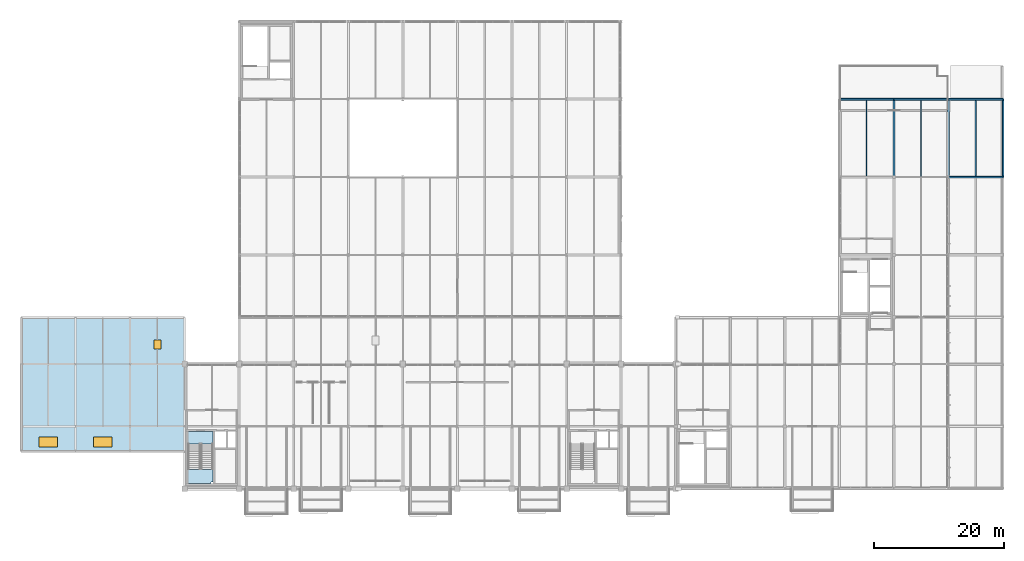
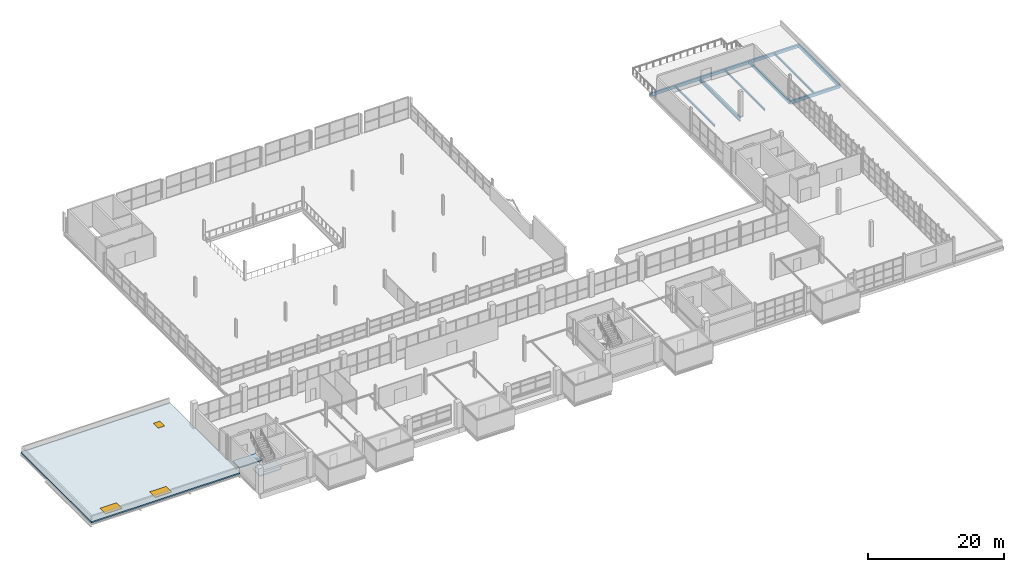
# One storey, part 83 of 103: 10 beams, 3 slabs, 2 windows, 1 door, 3 openings, 1 element without a shape of its own.
"""IFC4 building model written with IfcOpenShell, lengths in metres."""

from ifc_helpers import new_model, si_unit, direction, frame, origin, origin_2d, place, context, subcontext, project, spatial, polyline, rectangle, i_section, outline, extrude, material, layer, layer_set, material_profile, profile_set, type_object, element, fill, aggregate, save


model = new_model("IFC4")

# Units and contexts
model_context = context("Model", 3, precision=1e-05, world=origin(), true_north=direction((0.0, 1.0)))
body_context = subcontext(model_context, "Body", "Model", "MODEL_VIEW")
ifc_project = project(units=[si_unit("LENGTHUNIT", "METRE"), si_unit("AREAUNIT", "SQUARE_METRE"), si_unit("VOLUMEUNIT", "CUBIC_METRE"), si_unit("PLANEANGLEUNIT", "RADIAN"), si_unit("MASSUNIT", "GRAM", prefix="KILO")], contexts=[model_context])

# Site, building, storey
site_placement = place(None, origin())
site = spatial("IfcSite", under=ifc_project, at=site_placement, CompositionType="ELEMENT")
building_placement = place(site_placement, origin())
building = spatial("IfcBuilding", under=site, at=building_placement, Name="Veltarok Museum of Natural Sciences", CompositionType="ELEMENT")
storey_placement = place(building_placement, frame((0.0, 0.0, 21.89990234375)))
storey = spatial("IfcBuildingStorey", under=building, at=storey_placement, Name="L04", CompositionType="ELEMENT", Elevation=21.89990234375)

# Beams
ifc_material_1 = material(Name="Precast concrete C40/50", Category="concrete")
ifc_material_profile_1 = material_profile(ifc_material_1, rectangle(XDim=0.300048828125, YDim=0.550048828125, at=origin_2d()), Name="RC 300x550")
ifc_profile_set_1 = profile_set([ifc_material_profile_1], Name="Precast concrete C40/50")
beam_type_1 = type_object("IfcBeamType", Name="East Wing Precast Spandrel RC 300x550", PredefinedType="SPANDREL", material=ifc_profile_set_1)
for number, where, z_axis, x_axis, name in (
    (1, (149.199951171875, 48.0, -0.52490234375), (1.0, 0.0, 0.0), (0.0, 1.0, 0.0), "Beam BM-SP02 L04 18-19/F"),
    (2, (132.39990234375, 60.0, -0.534912109375), (1.0, 0.0, 0.0), (0.0, 1.0, 0.0), "Beam BM-SP02 L04 16-17/G"),
):
    element("IfcBeam", number, at=place(storey_placement, frame(where, z_axis=z_axis, x_axis=x_axis)), inside=storey, type_object=beam_type_1, Name=name, PredefinedType="SPANDREL", context=body_context, shape_type="SweptSolid", body=[
        extrude(rectangle(XDim=0.300048828125, YDim=0.550048828125, at=origin_2d()), origin(), (0.0, 0.0, 1.0), 8.400146484375),
    ])
beam_1_placement = place(storey_placement, frame((140.800048828125, 60.0, -0.534912109375), z_axis=(1.0, 0.0, 0.0), x_axis=(0.0, 1.0, 0.0)))
element("IfcBeam", 3, at=beam_1_placement, inside=storey, type_object=beam_type_1, Name="Beam BM-SP02 L04 17-18/G", PredefinedType="SPANDREL", context=body_context, shape_type="SweptSolid", body=[
    extrude(rectangle(XDim=0.300048828125, YDim=0.550048828125, at=origin_2d()), origin(), (0.0, 0.0, 1.0), 8.39990234375),
])
beam_2_placement = place(storey_placement, frame((149.199951171875, 60.0, -0.534912109375), z_axis=(1.0, 0.0, 0.0), x_axis=(0.0, 1.0, 0.0)))
element("IfcBeam", 4, at=beam_2_placement, inside=storey, type_object=beam_type_1, Name="Beam BM-SP02 L04 18-19/G", PredefinedType="SPANDREL", context=body_context, shape_type="SweptSolid", body=[
    extrude(rectangle(XDim=0.300048828125, YDim=0.550048828125, at=origin_2d()), origin(), (0.0, 0.0, 1.0), 8.400146484375),
])
for number, where, z_axis, x_axis, name in (
    (5, (149.199951171875, 48.0, -0.534912109375), (0.0, 1.0, 0.0), (-1.0, 0.0, 0.0), "Beam BM-SP02 L04 18/F-G"),
    (6, (157.60009765625, 48.0, -0.52490234375), (0.0, 1.0, 0.0), (-1.0, 0.0, 0.0), "Beam BM-SP02 L04 19/F-G"),
):
    element("IfcBeam", number, at=place(storey_placement, frame(where, z_axis=z_axis, x_axis=x_axis)), inside=storey, type_object=beam_type_1, Name=name, PredefinedType="SPANDREL", context=body_context, shape_type="SweptSolid", body=[
        extrude(rectangle(XDim=0.300048828125, YDim=0.550048828125, at=origin_2d()), origin(), (0.0, 0.0, 1.0), 12.0),
    ])
ifc_material_2 = material(Name="Steel S355J2", Category="steel")
ifc_material_profile_2 = material_profile(ifc_material_2, i_section(OverallWidth=0.169921875, OverallDepth=0.360107421875, WebThickness=0.008056640625, FlangeThickness=0.0126953125, FilletRadius=0.01806640625, at=origin_2d()), Name="IPE 360")
ifc_profile_set_2 = profile_set([ifc_material_profile_2], Name="Steel S355J2")
beam_type_2 = type_object("IfcBeamType", Name="Long-Bay Composite Joist IPE 360", PredefinedType="JOIST", material=ifc_profile_set_2)
beam_3_placement = place(storey_placement, frame((136.60009765625, 48.14794921875, -0.43994140625), z_axis=(0.0, 1.0, 0.0), x_axis=(-1.0, 0.0, 0.0)))
element("IfcBeam", 7, at=beam_3_placement, inside=storey, type_object=beam_type_2, Name="Secondary Joist BM-J01 L04 16-17/F-G.1", PredefinedType="JOIST", context=body_context, shape_type="SweptSolid", body=[
    extrude(i_section(OverallWidth=0.169921875, OverallDepth=0.360107421875, WebThickness=0.008056640625, FlangeThickness=0.0126953125, FilletRadius=0.01806640625, at=origin_2d()), origin(), (0.0, 0.0, 1.0), 11.7041015625),
])
beam_4_placement = place(storey_placement, frame((145.0, 48.093017578125, -0.43994140625), z_axis=(0.0, 1.0, 0.0), x_axis=(-1.0, 0.0, 0.0)))
element("IfcBeam", 8, at=beam_4_placement, inside=storey, type_object=beam_type_2, Name="Secondary Joist BM-J01 L04 17-18/F-G.1", PredefinedType="JOIST", context=body_context, shape_type="SweptSolid", body=[
    extrude(i_section(OverallWidth=0.169921875, OverallDepth=0.360107421875, WebThickness=0.008056640625, FlangeThickness=0.0126953125, FilletRadius=0.01806640625, at=origin_2d()), origin(), (0.0, 0.0, 1.0), 11.759033203125),
])
beam_5_placement = place(storey_placement, frame((153.39990234375, 48.14794921875, -0.429931640625), z_axis=(0.0, 1.0, 0.0), x_axis=(-1.0, 0.0, 0.0)))
element("IfcBeam", 9, at=beam_5_placement, inside=storey, type_object=beam_type_2, Name="Secondary Joist BM-J01 L04 18-19/F-G.1", PredefinedType="JOIST", context=body_context, shape_type="SweptSolid", body=[
    extrude(i_section(OverallWidth=0.169921875, OverallDepth=0.360107421875, WebThickness=0.008056640625, FlangeThickness=0.0126953125, FilletRadius=0.01806640625, at=origin_2d()), origin(), (0.0, 0.0, 1.0), 11.7041015625),
])
ifc_material_profile_3 = material_profile(ifc_material_2, i_section(OverallWidth=0.300048828125, OverallDepth=0.699951171875, WebThickness=0.01708984375, FlangeThickness=0.031982421875, FilletRadius=0.027099609375, at=origin_2d()), Name="HEB 700")
ifc_profile_set_3 = profile_set([ifc_material_profile_3], Name="Steel S355J2")
beam_type_3 = type_object("IfcBeamType", Name="Long-Span Hall Girder HEB 700", PredefinedType="BEAM", material=ifc_profile_set_3)
beam_6_placement = place(storey_placement, frame((140.800048828125, 48.0, -0.60986328125), z_axis=(0.0, 1.0, 0.0), x_axis=(-1.0, 0.0, 0.0)))
element("IfcBeam", 10, at=beam_6_placement, inside=storey, type_object=beam_type_3, Name="Beam BM-G01 L04 17/F-G", PredefinedType="BEAM", context=body_context, shape_type="SweptSolid", body=[
    extrude(i_section(OverallWidth=0.300048828125, OverallDepth=0.699951171875, WebThickness=0.01708984375, FlangeThickness=0.031982421875, FilletRadius=0.027099609375, at=origin_2d()), origin(), (0.0, 0.0, 1.0), 12.0),
])

# Slab, openings, door, windows
ifc_material_3 = material(Name="Concrete C35/45", Category="concrete")
ifc_layer_1 = layer(ifc_material_3, 0.239990234375)
ifc_layer_set_1 = layer_set([ifc_layer_1], Name="Concrete C35/45")
slab_type_1 = type_object("IfcSlabType", Name="Insulated Flat Wing Roof Slab 240", PredefinedType="ROOF", material=ifc_layer_set_1)
slab_1_placement = place(storey_placement, frame((0.0, 0.0, -0.239990234375)))
slab_1 = element("IfcSlab", 11, at=slab_1_placement, inside=storey, type_object=slab_type_1, Name="Flat Wing Roof Slab RF-V4", PredefinedType="ROOF", context=body_context, shape_type="SweptSolid", body=[
    extrude(outline(polyline([(6.39990234375, 5.699951171875), (6.39990234375, 26.39990234375), (31.60009765625, 26.39990234375), (31.60009765625, 5.699951171875), (6.39990234375, 5.699951171875)])), origin(), (0.0, 0.0, 1.0), 0.239990234375),
])
opening_1_placement = place(slab_1_placement, frame((10.60009765625, 7.199951171875, -0.010009765625)))
opening_1 = element("IfcOpeningElement", 12, at=opening_1_placement, cuts=slab_1, Name="Opening SK-15", PredefinedType="OPENING", context=body_context, shape_type="SweptSolid", body=[
    extrude(rectangle(XDim=2.800048828125, YDim=1.60009765625, at=origin_2d()), origin(), (0.0, 0.0, 1.0), 0.320068359375),
])
opening_2_placement = place(slab_1_placement, frame((19.0, 7.199951171875, -0.010009765625)))
opening_2 = element("IfcOpeningElement", 13, at=opening_2_placement, cuts=slab_1, Name="Opening SK-16", PredefinedType="OPENING", context=body_context, shape_type="SweptSolid", body=[
    extrude(rectangle(XDim=2.800048828125, YDim=1.60009765625, at=origin_2d()), origin(), (0.0, 0.0, 1.0), 0.320068359375),
])
opening_3_placement = place(slab_1_placement, frame((27.39990234375, 22.199951171875, -0.010009765625)))
opening_3 = element("IfcOpeningElement", 14, at=opening_3_placement, cuts=slab_1, Name="Opening HT-04", PredefinedType="OPENING", context=body_context, shape_type="SweptSolid", body=[
    extrude(rectangle(XDim=1.10009765625, YDim=1.39990234375, at=origin_2d()), origin(), (0.0, 0.0, 1.0), 0.320068359375),
])
ifc_material_4 = material(Name="Insulated aluminium curb hatch", Category="aluminium")
door_type = type_object("IfcDoorType", Name="Insulated Roof Maintenance Access Hatch 1100x1400", OperationType="SINGLE_SWING_LEFT", PredefinedType="TRAPDOOR", material=ifc_material_4)
door_placement = place(slab_1_placement, frame((27.39990234375, 22.199951171875, 0.239990234375)))
door = element("IfcDoor", 15, at=door_placement, inside=storey, type_object=door_type, Name="Roof Maintenance Access Hatch HT-04", OperationType="SINGLE_SWING_LEFT", OverallHeight=1.39990234375, OverallWidth=1.10009765625, PredefinedType="TRAPDOOR", context=body_context, shape_type="SweptSolid", body=[
    extrude(rectangle(XDim=1.10009765625, YDim=1.39990234375, at=origin_2d()), origin(), (0.0, 0.0, 1.0), 0.06005859375),
])
fill(opening_3, door)
ifc_material_5 = material(Name="Low-iron triple insulated glass", Category="glass")
window_type = type_object("IfcWindowType", Name="Paleontology Bridge Acoustic Skylight 2800x1600", PartitioningType="SINGLE_PANEL", PredefinedType="SKYLIGHT", material=ifc_material_5)
window_1_placement = place(slab_1_placement, frame((10.60009765625, 7.199951171875, 0.239990234375)))
window_1 = element("IfcWindow", 16, at=window_1_placement, inside=storey, type_object=window_type, Name="Gallery Rooflight SK-15", OverallHeight=1.60009765625, OverallWidth=2.800048828125, PartitioningType="SINGLE_PANEL", PredefinedType="SKYLIGHT", context=body_context, shape_type="SweptSolid", body=[
    extrude(rectangle(XDim=2.800048828125, YDim=1.60009765625, at=origin_2d()), origin(), (0.0, 0.0, 1.0), 0.06005859375),
])
fill(opening_1, window_1)
window_2_placement = place(slab_1_placement, frame((19.0, 7.199951171875, 0.239990234375)))
window_2 = element("IfcWindow", 17, at=window_2_placement, inside=storey, type_object=window_type, Name="Gallery Rooflight SK-16", OverallHeight=1.60009765625, OverallWidth=2.800048828125, PartitioningType="SINGLE_PANEL", PredefinedType="SKYLIGHT", context=body_context, shape_type="SweptSolid", body=[
    extrude(rectangle(XDim=2.800048828125, YDim=1.60009765625, at=origin_2d()), origin(), (0.0, 0.0, 1.0), 0.06005859375),
])
fill(opening_2, window_2)

# Slab
ifc_layer_2 = layer(ifc_material_3, 0.199951171875)
ifc_layer_set_2 = layer_set([ifc_layer_2], Name="Concrete C35/45")
slab_type_2 = type_object("IfcSlabType", Name="Protected Stair Intermediate Landing Slab 200", PredefinedType="LANDING", material=ifc_layer_set_2)
slab_2_placement = place(storey_placement, frame((0.0, 0.0, -0.199951171875)))
element("IfcSlab", 18, at=slab_2_placement, inside=storey, type_object=slab_type_2, Name="Stairwell Floor Landing ST-01 L04", PredefinedType="LANDING", context=body_context, shape_type="SweptSolid", body=[
    extrude(outline(polyline([(32.110107421875, 6.89990234375), (35.989990234375, 6.89990234375), (35.989990234375, 8.820068359375), (32.110107421875, 8.820068359375), (32.110107421875, 6.89990234375)])), origin(), (0.0, 0.0, 1.0), 0.199951171875),
])

# Stair, slab
stair_type = type_object("IfcStairType", Name="Protected Half-Turn Escape Stair H4500", PredefinedType="HALF_TURN_STAIR", material=ifc_material_1)
stair_placement = place(storey_placement, origin())
stair = element("IfcStair", 19, at=stair_placement, inside=storey, type_object=stair_type, Name="Protected Escape Stair ST-01-L04", PredefinedType="HALF_TURN_STAIR")
slab_3_placement = place(storey_placement, frame((0.0, 0.0, 2.050048828125)))
slab_3 = element("IfcSlab", 20, at=slab_3_placement, type_object=slab_type_2, Name="ST-01-L04 landing 1", PredefinedType="LANDING", context=body_context, shape_type="SweptSolid", body=[
    extrude(outline(polyline([(32.110107421875, 0.780029296875), (35.669921875, 0.780029296875), (35.669921875, 1.02001953125), (35.989990234375, 1.02001953125), (35.989990234375, 3.0), (32.110107421875, 3.0), (32.110107421875, 0.780029296875)])), origin(), (0.0, 0.0, 1.0), 0.199951171875),
])
aggregate(stair, [slab_3])

save(model, "model.ifc")
